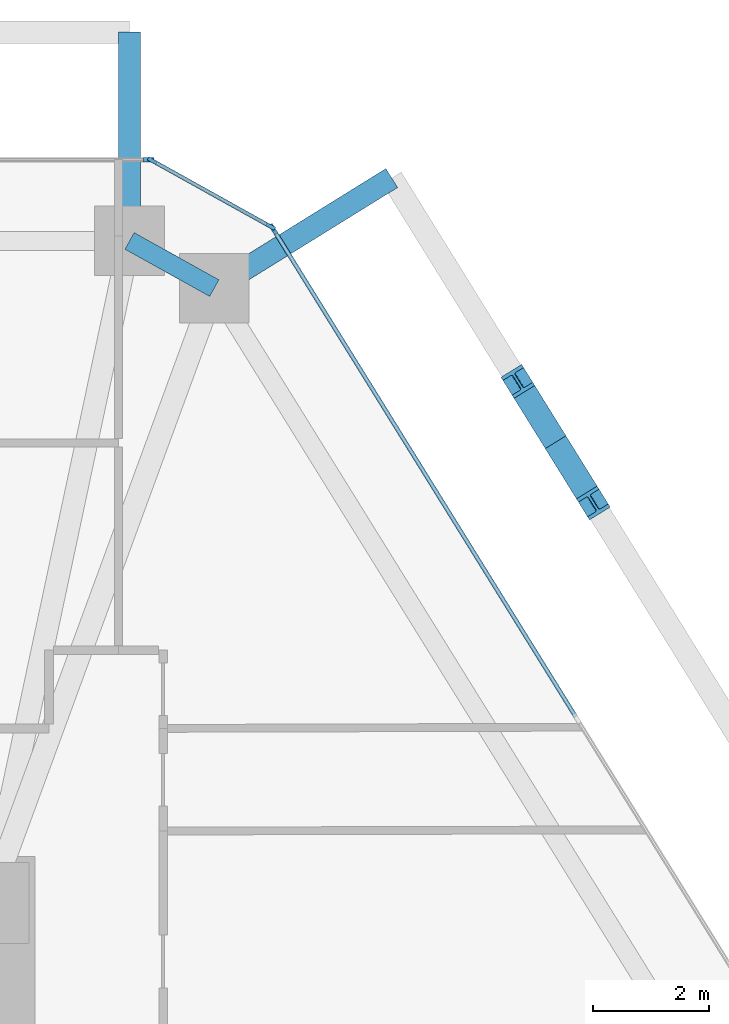
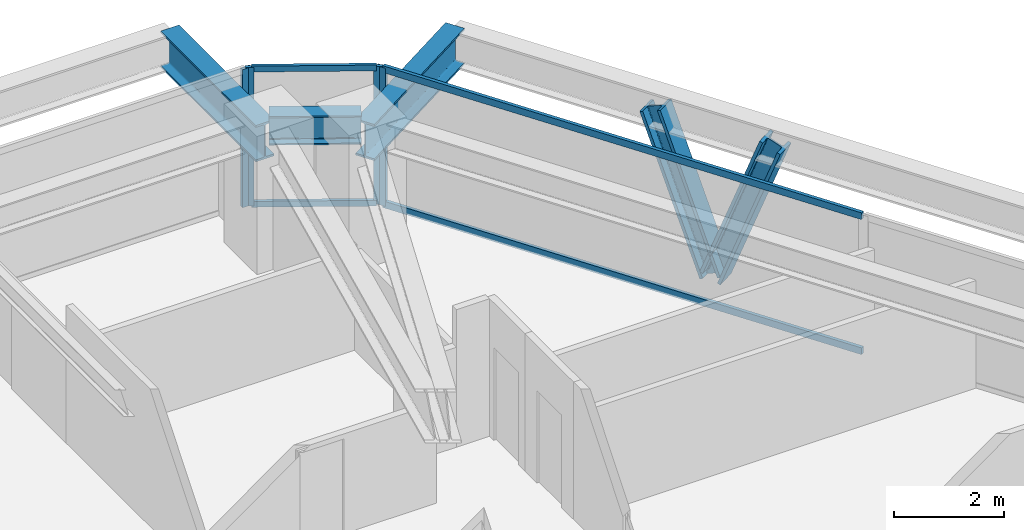
# One storey, part 8 of 14: 10 members, 3 beams, 3 elements without a shape of their own.
"""IFC4 building model written with IfcOpenShell, lengths in metres."""

import ifcopenshell
import ifcopenshell.guid

model = None  # the IFC model being written
_history = None  # IfcOwnerHistory: only IFC2X3 demands one
_inside = {}  # id of a spatial element -> (the spatial element, [elements in it])
_under = {}  # id of a project, library or spatial element -> (it, [spatial elements below it])
_declared = {}  # id of a project -> (the project, [libraries it declares])
_typed = {}  # id of a type object -> (the type object, [elements of that type])
_made_of = {}  # id of a material, layer set ... -> (it, [elements and type objects made of it])


def new_model(schema):
    """Start an empty IFC model of exactly this schema.

    Asked for "IFC4X3", IfcOpenShell would pick the latest addendum, in which some entities
    have other attributes; the version numbers below select the first issue.
    IFC2X3 requires an IfcOwnerHistory on every rooted entity: one is made here for all.
    """
    global model, _history
    if schema == "IFC4X3":
        model = ifcopenshell.file(schema_version=(4, 3, 0, 0))
    else:
        model = ifcopenshell.file(schema=schema)
    _inside.clear()
    _under.clear()
    _declared.clear()
    _typed.clear()
    _made_of.clear()
    _history = None
    if model.schema == "IFC2X3":
        org = make("IfcOrganization", Name="unknown")
        user = make(
            "IfcPersonAndOrganization",
            ThePerson=make("IfcPerson", FamilyName="unknown"),
            TheOrganization=org,
        )
        app = make(
            "IfcApplication",
            ApplicationDeveloper=org,
            Version="unknown",
            ApplicationFullName="unknown",
            ApplicationIdentifier="unknown",
        )
        _history = make(
            "IfcOwnerHistory",
            OwningUser=user,
            OwningApplication=app,
            ChangeAction="ADDED",
            CreationDate=0,
        )
    return model


def make(cls, **values):
    """One entity of the class cls with the attributes given. An attribute that is None is left unset."""
    return model.create_entity(
        cls, **{name: value for name, value in values.items() if value is not None}
    )


def rooted(cls, **values):
    """An entity with a GlobalId (a new one), such as an element, a storey or a relation."""
    return make(cls, GlobalId=ifcopenshell.guid.new(), OwnerHistory=_history, **values)


def si_unit(unit_type, name, prefix=None):
    """IfcSIUnit, for example si_unit("LENGTHUNIT", "METRE", prefix="MILLI")."""
    return make("IfcSIUnit", UnitType=unit_type, Prefix=prefix, Name=name)


def assignment(units):
    """IfcUnitAssignment: the units of a project."""
    return None if units is None else make("IfcUnitAssignment", Units=units)


def point(xyz):
    """IfcCartesianPoint."""
    return None if xyz is None else make("IfcCartesianPoint", Coordinates=xyz)


def direction(xyz):
    """IfcDirection."""
    return None if xyz is None else make("IfcDirection", DirectionRatios=xyz)


def frame(location, z_axis=None, x_axis=None):
    """IfcAxis2Placement3D, a coordinate frame: its origin and axes. An axis left out is left unset."""
    return make(
        "IfcAxis2Placement3D",
        Location=point(location),
        Axis=direction(z_axis),
        RefDirection=direction(x_axis),
    )


def frame_2d(location, x_axis=None):
    """IfcAxis2Placement2D, a coordinate frame in the plane: its origin and x axis."""
    return make(
        "IfcAxis2Placement2D", Location=point(location), RefDirection=direction(x_axis)
    )


def origin():
    """The frame at (0, 0, 0) with its axes left unset."""
    return frame((0.0, 0.0, 0.0))


def origin_2d():
    """The frame at (0, 0) in the plane with its x axis left unset."""
    return frame_2d((0.0, 0.0))


def place(relative_to, where):
    """IfcLocalPlacement: puts the frame where relative to a parent placement (None: the world)."""
    return make(
        "IfcLocalPlacement", PlacementRelTo=relative_to, RelativePlacement=where
    )


def context(
    kind, dimensions, precision=None, world=None, true_north=None, identifier=None
):
    """IfcGeometricRepresentationContext, for example the 3D "Model" context."""
    return make(
        "IfcGeometricRepresentationContext",
        ContextIdentifier=identifier,
        ContextType=kind,
        CoordinateSpaceDimension=dimensions,
        Precision=precision,
        WorldCoordinateSystem=world,
        TrueNorth=true_north,
    )


def subcontext(parent, identifier, kind, view, scale=None):
    """IfcGeometricRepresentationSubContext, for example "Body" below "Model"."""
    return make(
        "IfcGeometricRepresentationSubContext",
        ContextIdentifier=identifier,
        ContextType=kind,
        ParentContext=parent,
        TargetScale=scale,
        TargetView=view,
    )


def project(units=None, contexts=None):
    """IfcProject with its units and contexts."""
    return rooted(
        "IfcProject",
        Name="project",
        RepresentationContexts=contexts,
        UnitsInContext=assignment(units),
    )


def spatial(cls, under=None, at=None, **own):
    """A site, building, storey or space (cls), placed at a placement, below another one or the project."""
    s = rooted(cls, ObjectPlacement=at, **own)
    if under is not None:
        _under.setdefault(under.id(), (under, []))[1].append(s)
    return s


def profile(cls, at=None, kind="AREA", **sizes):
    """A parametric profile (cls). Its sizes go by their IFC names, for example OverallWidth=200.0."""
    return make(cls, ProfileType=kind, Position=at, **sizes)


def rectangle(**sizes):
    """IfcRectangleProfileDef."""
    return profile("IfcRectangleProfileDef", **sizes)


def i_section(**sizes):
    """IfcIShapeProfileDef."""
    return profile("IfcIShapeProfileDef", **sizes)


def extrude(swept, where, along, depth):
    """IfcExtrudedAreaSolid: the profile swept, set in the frame where, extruded along a direction by depth."""
    return make(
        "IfcExtrudedAreaSolid",
        SweptArea=swept,
        Position=where,
        ExtrudedDirection=direction(along),
        Depth=depth,
    )


def shape(context_of_items, identifier, shape_type, items):
    """IfcShapeRepresentation: the items that make up one representation, for example the "Body"."""
    return make(
        "IfcShapeRepresentation",
        ContextOfItems=context_of_items,
        RepresentationIdentifier=identifier,
        RepresentationType=shape_type,
        Items=items,
    )


def source(mapping_origin, context_of_items, identifier, shape_type, items):
    """IfcRepresentationMap: a shape defined once, which mapped items show again and again."""
    return make(
        "IfcRepresentationMap",
        MappingOrigin=mapping_origin,
        MappedRepresentation=shape(context_of_items, identifier, shape_type, items),
    )


def transform(
    local_origin,
    x_axis=None,
    y_axis=None,
    z_axis=None,
    scale=None,
    scale2=None,
    scale3=None,
    uniform=True,
):
    """IfcCartesianTransformationOperator3D, or its non-uniform kind. x_axis, y_axis, z_axis: its Axis1, 2, 3."""
    if uniform:
        return make(
            "IfcCartesianTransformationOperator3D",
            Axis1=direction(x_axis),
            Axis2=direction(y_axis),
            LocalOrigin=point(local_origin),
            Scale=scale,
            Axis3=direction(z_axis),
        )
    return make(
        "IfcCartesianTransformationOperator3DnonUniform",
        Axis1=direction(x_axis),
        Axis2=direction(y_axis),
        LocalOrigin=point(local_origin),
        Scale=scale,
        Axis3=direction(z_axis),
        Scale2=scale2,
        Scale3=scale3,
    )


def mapped(mapping_source, mapping_target):
    """IfcMappedItem: shows the shape of a source again, moved by a transform."""
    return make(
        "IfcMappedItem", MappingSource=mapping_source, MappingTarget=mapping_target
    )


def material(Name=None, Category=None):
    """IfcMaterial."""
    return make("IfcMaterial", Name=Name, Category=Category)


def layer(
    of_material, thickness, ventilated=None, Name=None, Category=None, Priority=None
):
    """IfcMaterialLayer: one layer of a wall or slab, of a material (None: an air gap)."""
    return make(
        "IfcMaterialLayer",
        Material=of_material,
        LayerThickness=thickness,
        IsVentilated=ventilated,
        Name=Name,
        Category=Category,
        Priority=Priority,
    )


def layer_set(layers, Name=None):
    """IfcMaterialLayerSet."""
    return make("IfcMaterialLayerSet", MaterialLayers=layers, LayerSetName=Name)


def material_profile(
    of_material, cross_section, Name=None, Category=None, Priority=None
):
    """IfcMaterialProfile: a cross section and its material."""
    return make(
        "IfcMaterialProfile",
        Name=Name,
        Material=of_material,
        Profile=cross_section,
        Priority=Priority,
        Category=Category,
    )


def profile_set(profiles, Name=None, composite=None):
    """IfcMaterialProfileSet."""
    return make(
        "IfcMaterialProfileSet",
        Name=Name,
        MaterialProfiles=profiles,
        CompositeProfile=composite,
    )


def made_of(thing, what):
    """Note that an element or type object is made of a material, layer set ...; save() writes the relation."""
    if what is not None:
        _made_of.setdefault(what.id(), (what, []))[1].append(thing)
    return thing


def type_object(cls, material=None, **own):
    """A type object (cls), such as IfcWallType, which elements share."""
    return made_of(rooted(cls, **own), material)


def type_shapes(of_type, sources):
    """Give a type object the sources (RepresentationMaps) that its elements show as mapped items."""
    of_type.RepresentationMaps = sources


def element(
    cls,
    number,
    at=None,
    inside=None,
    cuts=None,
    type_object=None,
    material=None,
    context=None,
    identifier="Body",
    shape_type=None,
    held_by="IfcProductDefinitionShape",
    body=None,
    shapes=None,
    **own,
):
    """One element of the class cls, such as IfcWall. Its Tag is "e" and its number.

    at: its placement. inside: the storey or other place that contains it. cuts: it is an
    opening in that element (IfcRelVoidsElement). A single representation is given by context,
    identifier, shape_type and body (its items); several are given by shapes. held_by: the class
    of the entity that holds the representations. save() writes the other relations.
    """
    e = rooted(cls, Tag="e%d" % number, ObjectPlacement=at, **own)
    if body is not None:
        shapes = [shape(context, identifier, shape_type, body)]
    if shapes is not None:
        e.Representation = make(held_by, Representations=shapes)
    if inside is not None:
        _inside.setdefault(inside.id(), (inside, []))[1].append(e)
    if cuts is not None:
        rooted(
            "IfcRelVoidsElement", RelatingBuildingElement=cuts, RelatedOpeningElement=e
        )
    if type_object is not None:
        _typed.setdefault(type_object.id(), (type_object, []))[1].append(e)
    return made_of(e, material)


def aggregate(whole, parts):
    """IfcRelAggregates: a whole, such as a stair, and the parts it consists of."""
    return rooted("IfcRelAggregates", RelatingObject=whole, RelatedObjects=parts)


def save(model, path):
    """Write the relations noted so far, then the file.

    IfcRelAggregates (storeys below a building ...), IfcRelContainedInSpatialStructure (elements
    in a storey), IfcRelDefinesByType, IfcRelAssociatesMaterial and IfcRelDeclares: one each for
    every whole, place, type object, material and project.
    """
    for whole, parts in _under.values():
        aggregate(whole, parts)
    for where, things in _inside.values():
        rooted(
            "IfcRelContainedInSpatialStructure",
            RelatedElements=things,
            RelatingStructure=where,
        )
    for kind, things in _typed.values():
        rooted("IfcRelDefinesByType", RelatedObjects=things, RelatingType=kind)
    for what, things in _made_of.values():
        rooted("IfcRelAssociatesMaterial", RelatedObjects=things, RelatingMaterial=what)
    for by, libraries in _declared.values():
        rooted("IfcRelDeclares", RelatingContext=by, RelatedDefinitions=libraries)
    model.write(path)


model = new_model("IFC4")

# Units and contexts
model_context = context("Model", 3, precision=1e-05, world=origin(), true_north=direction((0.0, 1.0)))
body_context = subcontext(model_context, "Body", "Model", "MODEL_VIEW")
ifc_project = project(units=[si_unit("LENGTHUNIT", "METRE"), si_unit("AREAUNIT", "SQUARE_METRE"), si_unit("VOLUMEUNIT", "CUBIC_METRE"), si_unit("PLANEANGLEUNIT", "RADIAN"), si_unit("MASSUNIT", "GRAM", prefix="KILO")], contexts=[model_context])

# Site, building, storey
site_placement = place(None, origin())
site = spatial("IfcSite", under=ifc_project, at=site_placement, CompositionType="ELEMENT")
building_placement = place(site_placement, origin())
building = spatial("IfcBuilding", under=site, at=building_placement, Name="Durnholm Broadcast Tower", CompositionType="ELEMENT")
storey_placement = place(building_placement, frame((0.0, 0.0, 120.60009765625)))
storey = spatial("IfcBuildingStorey", under=building, at=storey_placement, Name="L32", CompositionType="ELEMENT", Elevation=120.60009765625)

# Beams
ifc_material_1 = material(Name="Steel ASTM A992 Grade 50", Category="steel")
ifc_material_profile_1 = material_profile(ifc_material_1, i_section(OverallWidth=0.385009765625, OverallDepth=0.802978515625, WebThickness=0.023681640625, FlangeThickness=0.0419921875, FilletRadius=0.032958984375, at=origin_2d()), Name="W30X261")
ifc_profile_set_1 = profile_set([ifc_material_profile_1], Name="Steel ASTM A992 Grade 50")
beam_type_1 = type_object("IfcBeamType", Name="BM-EXO-TIE", PredefinedType="USERDEFINED", material=ifc_profile_set_1)
shared_shape_1 = source(origin(), body_context, "Body", "SweptSolid", [
    extrude(i_section(OverallWidth=0.385009765625, OverallDepth=0.802978515625, WebThickness=0.023681640625, FlangeThickness=0.0419921875, FilletRadius=0.032958984375, at=origin_2d()), origin(), (0.0, 0.0, 1.0), 3.4560546875),
])
beam_1_placement = place(storey_placement, frame((12.22998046875, 19.35888671875, 2.30859375), z_axis=(0.0, 1.0, 0.0), x_axis=(-1.0, 0.0, 0.0)))
element("IfcBeam", 1, at=beam_1_placement, inside=storey, type_object=beam_type_1, Name="L32 exoskeleton stand-off tie bracket F4.1", ObjectType="GIRDER", PredefinedType="USERDEFINED", context=body_context, shape_type="MappedRepresentation", body=[
    mapped(shared_shape_1, transform((0.0, 0.0, 0.0), x_axis=(1.0, 0.0, 0.0), y_axis=(0.0, 1.0, 0.0), z_axis=(0.0, 0.0, 1.0), scale=1.0)),
])
shared_shape_2 = source(origin(), body_context, "Body", "SweptSolid", [
    extrude(i_section(OverallWidth=0.385009765625, OverallDepth=0.802978515625, WebThickness=0.023681640625, FlangeThickness=0.0419921875, FilletRadius=0.032958984375, at=origin_2d()), origin(), (0.0, 0.0, 1.0), 3.455810546875),
])
type_shapes(beam_type_1, [shared_shape_1, shared_shape_2])
beam_2_placement = place(storey_placement, frame((13.814697265625, 18.477294921875, 2.30859375), z_axis=(0.849807128357, 0.527093772107, 0.0), x_axis=(-0.527093772107, 0.849807128357, 0.0)))
element("IfcBeam", 2, at=beam_2_placement, inside=storey, type_object=beam_type_1, Name="L32 exoskeleton stand-off tie bracket F3.2", ObjectType="GIRDER", PredefinedType="USERDEFINED", context=body_context, shape_type="MappedRepresentation", body=[
    mapped(shared_shape_2, transform((0.0, 0.0, 0.0), x_axis=(1.0, 0.0, 0.0), y_axis=(0.0, 1.0, 0.0), z_axis=(0.0, 0.0, 1.0), scale=1.0)),
])
ifc_material_profile_2 = material_profile(ifc_material_1, i_section(OverallWidth=0.3291015625, OverallDepth=0.635009765625, WebThickness=0.017822265625, FlangeThickness=0.031005859375, FilletRadius=0.02783203125, at=origin_2d()), Name="W24X162")
ifc_profile_set_2 = profile_set([ifc_material_profile_2], Name="Steel ASTM A992 Grade 50")
beam_type_2 = type_object("IfcBeamType", Name="STL-SP-W24X162", PredefinedType="SPANDREL", material=ifc_profile_set_2)
shared_shape_3 = source(origin(), body_context, "Body", "SweptSolid", [
    extrude(i_section(OverallWidth=0.3291015625, OverallDepth=0.635009765625, WebThickness=0.017822265625, FlangeThickness=0.031005859375, FilletRadius=0.02783203125, at=origin_2d()), origin(), (0.0, 0.0, 1.0), 1.67333984375),
])
type_shapes(beam_type_2, [shared_shape_3])
beam_3_placement = place(storey_placement, frame((12.22998046875, 19.215087890625, 2.727294921875), z_axis=(0.873799169188, -0.486286964586, 0.0), x_axis=(0.486286964586, 0.873799169188, 0.0)))
element("IfcBeam", 3, at=beam_3_placement, inside=storey, type_object=beam_type_2, Name="L32 perimeter spandrel girder 06", PredefinedType="SPANDREL", context=body_context, shape_type="MappedRepresentation", body=[
    mapped(shared_shape_3, transform((0.0, 0.0, 0.0), x_axis=(1.0, 0.0, 0.0), y_axis=(0.0, 1.0, 0.0), z_axis=(0.0, 0.0, 1.0), scale=1.0)),
])

# Members
ifc_material_2 = material(Name="Steel ASTM A913 Grade 65", Category="steel")
ifc_material_profile_3 = material_profile(ifc_material_2, i_section(OverallWidth=0.41845703125, OverallDepth=0.455078125, WebThickness=0.0419921875, FlangeThickness=0.067626953125, FilletRadius=0.030517578125, at=origin_2d()), Name="W14X370")
ifc_profile_set_3 = profile_set([ifc_material_profile_3], Name="Steel ASTM A913 Grade 65")
member_type_1 = type_object("IfcMemberType", Name="STL-DG-W14X370", PredefinedType="BRACE", material=ifc_profile_set_3)
shared_shape_4 = source(origin(), body_context, "Body", "SweptSolid", [
    extrude(i_section(OverallWidth=0.41845703125, OverallDepth=0.455078125, WebThickness=0.0419921875, FlangeThickness=0.067626953125, FilletRadius=0.030517578125, at=origin_2d()), origin(), (0.0, 0.0, 1.0), 3.523193359375),
])
member_1_placement = place(storey_placement, frame((19.576416015625, 15.74462890625, -0.991455078125), z_axis=(-0.184669768468, 0.297619758188, 0.936653381006), x_axis=(-0.849716575602, -0.52723973783, 0.0)))
element("IfcMember", 4, at=member_1_placement, inside=storey, type_object=member_type_1, Name="L32 stand-off diagrid brace F3.D2.2", PredefinedType="BRACE", context=body_context, shape_type="MappedRepresentation", body=[
    mapped(shared_shape_4, transform((0.0, 0.0, 0.0), x_axis=(1.0, 0.0, 0.0), y_axis=(0.0, 1.0, 0.0), z_axis=(0.0, 0.0, 1.0), scale=1.0)),
])
shared_shape_5 = source(origin(), body_context, "Body", "SweptSolid", [
    extrude(i_section(OverallWidth=0.41845703125, OverallDepth=0.455078125, WebThickness=0.0419921875, FlangeThickness=0.067626953125, FilletRadius=0.030517578125, at=origin_2d()), origin(), (0.0, 0.0, 1.0), 3.52294921875),
])
type_shapes(member_type_1, [shared_shape_4, shared_shape_5])
member_2_placement = place(storey_placement, frame((19.576416015625, 15.74462890625, -0.991455078125), z_axis=(0.184539706302, -0.297564212865, 0.936696661689), x_axis=(0.849838868368, 0.527042595823, 0.0)))
element("IfcMember", 5, at=member_2_placement, inside=storey, type_object=member_type_1, Name="L32 stand-off diagrid brace F3.D2.1", PredefinedType="BRACE", context=body_context, shape_type="MappedRepresentation", body=[
    mapped(shared_shape_5, transform((0.0, 0.0, 0.0), x_axis=(1.0, 0.0, 0.0), y_axis=(0.0, 1.0, 0.0), z_axis=(0.0, 0.0, 1.0), scale=1.0)),
])

# Curtain wall, members
ifc_material_3 = material(Name="Aluminium and Solar Control IGU", Category="aluminium")
ifc_layer_1 = layer(ifc_material_3, 0.1650390625)
ifc_layer_set_1 = layer_set([ifc_layer_1], Name="Aluminium and Solar Control IGU")
curtain_wall_type_1 = type_object("IfcCurtainWallType", Name="CW-SYS-5", PredefinedType="NOTDEFINED", material=ifc_layer_set_1)
curtain_wall_1_placement = place(storey_placement, origin())
curtain_wall_1 = element("IfcCurtainWall", 6, at=curtain_wall_1_placement, inside=storey, type_object=curtain_wall_type_1, Name="L32 curtain wall CW-CORNER CW-L32-CRN-05", PredefinedType="NOTDEFINED")
ifc_material_4 = material(Name="Aluminium 6063-T6", Category="aluminium")
ifc_material_profile_4 = material_profile(ifc_material_4, rectangle(XDim=0.06494140625, YDim=0.1650390625, at=origin_2d()), Name="CWM65X165")
ifc_profile_set_4 = profile_set([ifc_material_profile_4], Name="Aluminium 6063-T6")
member_type_2 = type_object("IfcMemberType", Name="CW-SYS-5-MUL", PredefinedType="MULLION", material=ifc_profile_set_4)
shared_shape_6 = source(origin(), body_context, "Body", "SweptSolid", [
    extrude(rectangle(XDim=0.06494140625, YDim=0.1650390625, at=origin_2d()), origin(), (0.0, 0.0, 1.0), 3.059814453125),
])
type_shapes(member_type_2, [shared_shape_6])
member_3_placement = place(storey_placement, frame((12.62158203125, 20.59912109375, 0.0), z_axis=(0.0, 0.0, 1.0), x_axis=(0.486244224192, 0.873822953715, 0.0)))
member_3 = element("IfcMember", 7, at=member_3_placement, type_object=member_type_2, Name="CW-CORNER mullion 1", PredefinedType="MULLION", context=body_context, shape_type="MappedRepresentation", body=[
    mapped(shared_shape_6, transform((0.0, 0.0, 0.0), x_axis=(1.0, 0.0, 0.0), y_axis=(0.0, 1.0, 0.0), z_axis=(0.0, 0.0, 1.0), scale=1.0)),
])
member_4_placement = place(storey_placement, frame((14.662109375, 19.4638671875, 0.0), z_axis=(0.0, 0.0, 1.0), x_axis=(0.486244224192, 0.873822953715, 0.0)))
member_4 = element("IfcMember", 8, at=member_4_placement, type_object=member_type_2, Name="CW-CORNER mullion 2", PredefinedType="MULLION", context=body_context, shape_type="MappedRepresentation", body=[
    mapped(shared_shape_6, transform((0.0, 0.0, 0.0), x_axis=(1.0, 0.0, 0.0), y_axis=(0.0, 1.0, 0.0), z_axis=(0.0, 0.0, 1.0), scale=1.0)),
])

# Curtain wall, member
ifc_layer_2 = layer(ifc_material_3, 0.18994140625)
ifc_layer_set_2 = layer_set([ifc_layer_2], Name="Aluminium and Solar Control IGU")
curtain_wall_type_2 = type_object("IfcCurtainWallType", Name="CW-SYS-3", PredefinedType="NOTDEFINED", material=ifc_layer_set_2)
curtain_wall_2_placement = place(storey_placement, origin())
curtain_wall_2 = element("IfcCurtainWall", 9, at=curtain_wall_2_placement, inside=storey, type_object=curtain_wall_type_2, Name="L32 curtain wall CW-Z12-VIS CW-L32-F04", PredefinedType="NOTDEFINED")
ifc_material_profile_5 = material_profile(ifc_material_4, rectangle(XDim=0.070068359375, YDim=0.18994140625, at=origin_2d()), Name="CWM70X190")
ifc_profile_set_5 = profile_set([ifc_material_profile_5], Name="Aluminium 6063-T6")
member_type_3 = type_object("IfcMemberType", Name="CW-SYS-3-MUL", PredefinedType="MULLION", material=ifc_profile_set_5)
shared_shape_7 = source(origin(), body_context, "Body", "SweptSolid", [
    extrude(rectangle(XDim=0.070068359375, YDim=0.18994140625, at=origin_2d()), origin(), (0.0, 0.0, 1.0), 3.059814453125),
])
type_shapes(member_type_3, [shared_shape_7])
member_5_placement = place(storey_placement, frame((12.55810546875, 20.614990234375, 0.0), z_axis=(0.0, 0.0, 1.0), x_axis=(0.0, 1.0, 0.0)))
member_5 = element("IfcMember", 10, at=member_5_placement, type_object=member_type_3, Name="CW-Z12-VIS mullion 3", PredefinedType="MULLION", context=body_context, shape_type="MappedRepresentation", body=[
    mapped(shared_shape_7, transform((0.0, 0.0, 0.0), x_axis=(1.0, 0.0, 0.0), y_axis=(0.0, 1.0, 0.0), z_axis=(0.0, 0.0, 1.0), scale=1.0)),
])
aggregate(curtain_wall_2, [member_5])

curtain_wall_3_placement = place(storey_placement, origin())
curtain_wall_3 = element("IfcCurtainWall", 11, at=curtain_wall_3_placement, inside=storey, type_object=curtain_wall_type_2, Name="L32 curtain wall CW-Z12-VIS CW-L32-F06", PredefinedType="NOTDEFINED")
member_6_placement = place(storey_placement, frame((14.708740234375, 19.418212890625, 0.0), z_axis=(0.0, 0.0, 1.0), x_axis=(0.849799925229, 0.527105385176, 0.0)))
member_6 = element("IfcMember", 12, at=member_6_placement, type_object=member_type_3, Name="CW-Z12-VIS mullion 1", PredefinedType="MULLION", context=body_context, shape_type="MappedRepresentation", body=[
    mapped(shared_shape_7, transform((0.0, 0.0, 0.0), x_axis=(1.0, 0.0, 0.0), y_axis=(0.0, 1.0, 0.0), z_axis=(0.0, 0.0, 1.0), scale=1.0)),
])

# Member
ifc_material_profile_6 = material_profile(ifc_material_4, rectangle(XDim=0.06494140625, YDim=0.1298828125, at=origin_2d()), Name="CWT65X130")
ifc_profile_set_6 = profile_set([ifc_material_profile_6], Name="Aluminium 6063-T6")
member_type_4 = type_object("IfcMemberType", Name="CW-SYS-5-TRN", PredefinedType="USERDEFINED", material=ifc_profile_set_6)
shared_shape_8 = source(origin(), body_context, "Body", "SweptSolid", [
    extrude(rectangle(XDim=0.06494140625, YDim=0.1298828125, at=origin_2d()), origin(), (0.0, 0.0, 1.0), 2.270263671875),
])
type_shapes(member_type_4, [shared_shape_8])
member_7_placement = place(storey_placement, frame((12.64990234375, 20.58349609375, 0.032470703125), z_axis=(0.873786708897, -0.486309353555, 0.0), x_axis=(0.486309353555, 0.873786708897, 0.0)))
member_7 = element("IfcMember", 13, at=member_7_placement, type_object=member_type_4, Name="CW-CORNER transom 1.1", ObjectType="TRANSOM", PredefinedType="USERDEFINED", context=body_context, shape_type="MappedRepresentation", body=[
    mapped(shared_shape_8, transform((0.0, 0.0, 0.0), x_axis=(1.0, 0.0, 0.0), y_axis=(0.0, 1.0, 0.0), z_axis=(0.0, 0.0, 1.0), scale=1.0)),
])

member_8_placement = place(storey_placement, frame((12.64990234375, 20.58349609375, 3.02734375), z_axis=(0.873786708897, -0.486309353555, 0.0), x_axis=(0.486309353555, 0.873786708897, 0.0)))
member_8 = element("IfcMember", 14, at=member_8_placement, type_object=member_type_4, Name="CW-CORNER transom 1.2", ObjectType="TRANSOM", PredefinedType="USERDEFINED", context=body_context, shape_type="MappedRepresentation", body=[
    mapped(shared_shape_8, transform((0.0, 0.0, 0.0), x_axis=(1.0, 0.0, 0.0), y_axis=(0.0, 1.0, 0.0), z_axis=(0.0, 0.0, 1.0), scale=1.0)),
])

aggregate(curtain_wall_1, [member_3, member_4, member_7, member_8])

ifc_material_profile_7 = material_profile(ifc_material_4, rectangle(XDim=0.070068359375, YDim=0.14990234375, at=origin_2d()), Name="CWT70X150")
ifc_profile_set_7 = profile_set([ifc_material_profile_7], Name="Aluminium 6063-T6")
member_type_5 = type_object("IfcMemberType", Name="CW-SYS-3-TRN", PredefinedType="USERDEFINED", material=ifc_profile_set_7)
shared_shape_9 = source(origin(), body_context, "Body", "SweptSolid", [
    extrude(rectangle(XDim=0.070068359375, YDim=0.14990234375, at=origin_2d()), origin(), (0.0, 0.0, 1.0), 9.858642578125),
])
type_shapes(member_type_5, [shared_shape_9])
member_9_placement = place(storey_placement, frame((14.727294921875, 19.388427734375, 0.034912109375), z_axis=(0.527102081419, -0.849801974441, 0.0), x_axis=(0.849801974441, 0.527102081419, 0.0)))
member_9 = element("IfcMember", 15, at=member_9_placement, type_object=member_type_5, Name="CW-Z12-VIS transom 1.1", ObjectType="TRANSOM", PredefinedType="USERDEFINED", context=body_context, shape_type="MappedRepresentation", body=[
    mapped(shared_shape_9, transform((0.0, 0.0, 0.0), x_axis=(1.0, 0.0, 0.0), y_axis=(0.0, 1.0, 0.0), z_axis=(0.0, 0.0, 1.0), scale=1.0)),
])

member_10_placement = place(storey_placement, frame((14.727294921875, 19.388427734375, 3.02490234375), z_axis=(0.527102081419, -0.849801974441, 0.0), x_axis=(0.849801974441, 0.527102081419, 0.0)))
member_10 = element("IfcMember", 16, at=member_10_placement, type_object=member_type_5, Name="CW-Z12-VIS transom 1.2", ObjectType="TRANSOM", PredefinedType="USERDEFINED", context=body_context, shape_type="MappedRepresentation", body=[
    mapped(shared_shape_9, transform((0.0, 0.0, 0.0), x_axis=(1.0, 0.0, 0.0), y_axis=(0.0, 1.0, 0.0), z_axis=(0.0, 0.0, 1.0), scale=1.0)),
])

aggregate(curtain_wall_3, [member_6, member_9, member_10])

save(model, "model.ifc")
